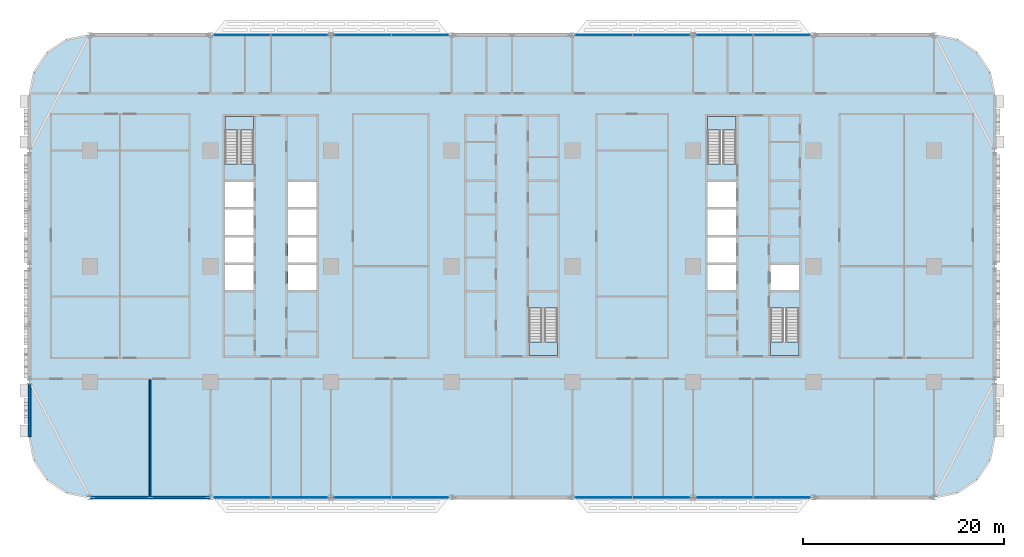
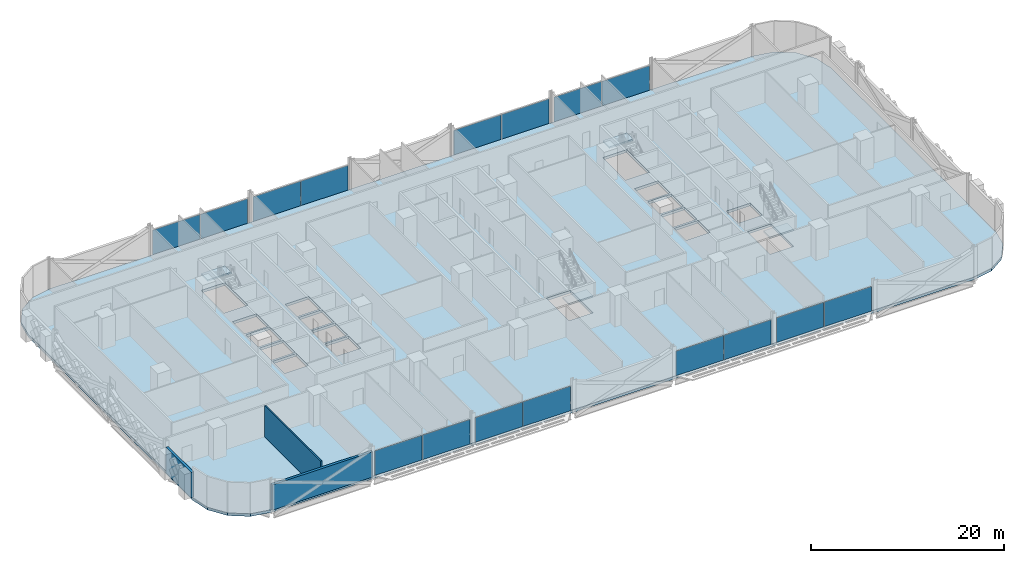
# One storey, part 9 of 29: 16 plates, 5 slabs, 3 walls, 12 elements without a shape of their own.
"""IFC4 building model written with IfcOpenShell, lengths in metres."""

from ifc_helpers import new_model, si_unit, direction, frame, frame_2d, origin, origin_2d, place, context, subcontext, project, spatial, polyline, rectangle, outline, extrude, material, layer, layer_set, type_object, element, aggregate, save


model = new_model("IFC4")

# Units and contexts
model_context = context("Model", 3, precision=1e-05, world=origin(), true_north=direction((0.0, 1.0)))
body_context = subcontext(model_context, "Body", "Model", "MODEL_VIEW")
ifc_project = project(units=[si_unit("LENGTHUNIT", "METRE"), si_unit("AREAUNIT", "SQUARE_METRE"), si_unit("VOLUMEUNIT", "CUBIC_METRE"), si_unit("PLANEANGLEUNIT", "RADIAN"), si_unit("MASSUNIT", "GRAM", prefix="KILO")], contexts=[model_context])

# Site, building, storey
site_placement = place(None, origin())
site = spatial("IfcSite", under=ifc_project, at=site_placement, CompositionType="ELEMENT")
building_placement = place(site_placement, origin())
building = spatial("IfcBuilding", under=site, at=building_placement, Name="Mahtab Terrace Research Tower", CompositionType="ELEMENT")
storey_placement = place(building_placement, frame((0.0, 0.0, 20.10009765625)))
storey = spatial("IfcBuildingStorey", under=building, at=storey_placement, Name="L04", CompositionType="ELEMENT", Elevation=20.10009765625)

# Stair, slab
ifc_material_1 = material(Name="Exit stair half-turn")
stair_type = type_object("IfcStairType", Name="Exit stair half-turn", PredefinedType="HALF_TURN_STAIR", material=ifc_material_1)
stair_1_placement = place(storey_placement, origin())
stair_1 = element("IfcStair", 1, at=stair_1_placement, inside=storey, type_object=stair_type, Name="L04 Protected exit stair ST1", PredefinedType="HALF_TURN_STAIR")
ifc_material_2 = material(Name="Concrete C40/50", Category="concrete")
ifc_layer_1 = layer(ifc_material_2, 0.199951171875)
ifc_layer_set_1 = layer_set([ifc_layer_1], Name="Exit stair landing 200")
slab_type_1 = type_object("IfcSlabType", Name="Exit stair landing 200", PredefinedType="LANDING", material=ifc_layer_set_1)
slab_1_placement = place(storey_placement, frame((0.0, 0.0, 1.949951171875)))
slab_1 = element("IfcSlab", 2, at=slab_1_placement, type_object=slab_type_1, Name="ST1 landing 1", PredefinedType="LANDING", context=body_context, shape_type="SweptSolid", body=[
    extrude(outline(polyline([(-25.699951171875, 13.534912109375), (-25.699951171875, 14.875), (-28.550048828125, 14.875), (-28.550048828125, 13.534912109375), (-25.699951171875, 13.534912109375)])), origin(), (0.0, 0.0, 1.0), 0.199951171875),
])
aggregate(stair_1, [slab_1])

stair_2_placement = place(storey_placement, origin())
stair_2 = element("IfcStair", 3, at=stair_2_placement, inside=storey, type_object=stair_type, Name="L04 Protected exit stair ST2", PredefinedType="HALF_TURN_STAIR")
slab_2_placement = place(storey_placement, frame((0.0, 0.0, 1.949951171875)))
slab_2 = element("IfcSlab", 4, at=slab_2_placement, type_object=slab_type_1, Name="ST2 landing 1", PredefinedType="LANDING", context=body_context, shape_type="SweptSolid", body=[
    extrude(outline(polyline([(1.699951171875, -7.534912109375), (1.699951171875, -8.875), (4.550048828125, -8.875), (4.550048828125, -7.534912109375), (1.699951171875, -7.534912109375)])), origin(), (0.0, 0.0, 1.0), 0.199951171875),
])
aggregate(stair_2, [slab_2])

stair_3_placement = place(storey_placement, origin())
stair_3 = element("IfcStair", 5, at=stair_3_placement, inside=storey, type_object=stair_type, Name="L04 Protected exit stair ST3", PredefinedType="HALF_TURN_STAIR")
slab_3_placement = place(storey_placement, frame((0.0, 0.0, 1.949951171875)))
slab_3 = element("IfcSlab", 6, at=slab_3_placement, type_object=slab_type_1, Name="ST3 landing 1", PredefinedType="LANDING", context=body_context, shape_type="SweptSolid", body=[
    extrude(outline(polyline([(22.300048828125, 13.534912109375), (22.300048828125, 14.875), (19.449951171875, 14.875), (19.449951171875, 13.534912109375), (22.300048828125, 13.534912109375)])), origin(), (0.0, 0.0, 1.0), 0.199951171875),
])
aggregate(stair_3, [slab_3])

stair_4_placement = place(storey_placement, origin())
stair_4 = element("IfcStair", 7, at=stair_4_placement, inside=storey, type_object=stair_type, Name="L04 Protected exit stair ST4", PredefinedType="HALF_TURN_STAIR")
slab_4_placement = place(storey_placement, frame((0.0, 0.0, 1.949951171875)))
slab_4 = element("IfcSlab", 8, at=slab_4_placement, type_object=slab_type_1, Name="ST4 landing 1", PredefinedType="LANDING", context=body_context, shape_type="SweptSolid", body=[
    extrude(outline(polyline([(25.699951171875, -7.534912109375), (25.699951171875, -8.875), (28.550048828125, -8.875), (28.550048828125, -7.534912109375), (25.699951171875, -7.534912109375)])), origin(), (0.0, 0.0, 1.0), 0.199951171875),
])
aggregate(stair_4, [slab_4])

# Curtain wall, plates
ifc_material_3 = material(Name="Laboratory ribbon curtain wall")
curtain_wall_type = type_object("IfcCurtainWallType", Name="Laboratory ribbon curtain wall", PredefinedType="NOTDEFINED", material=ifc_material_3)
curtain_wall_1_placement = place(storey_placement, origin())
curtain_wall_1 = element("IfcCurtainWall", 9, at=curtain_wall_1_placement, inside=storey, type_object=curtain_wall_type, Name="EN.L04.3.4", PredefinedType="NOTDEFINED")
ifc_material_4 = material(Name="Dark glazing", Category="glass")
ifc_layer_2 = layer(ifc_material_4, 0.031982421875)
ifc_layer_set_2 = layer_set([ifc_layer_2], Name="Laboratory ribbon curtain wall glazing panel")
plate_type = type_object("IfcPlateType", Name="Laboratory ribbon curtain wall glazing panel", PredefinedType="CURTAIN_PANEL", material=ifc_layer_set_2)
plate_1_placement = place(storey_placement, frame((26.859130859375, 23.0, 0.0), z_axis=(0.0, 0.0, 1.0), x_axis=(-1.0, 0.0, 0.0)))
plate_1 = element("IfcPlate", 10, at=plate_1_placement, type_object=plate_type, Name="CWL-1 panel 1", PredefinedType="CURTAIN_PANEL", context=body_context, shape_type="SweptSolid", body=[
    extrude(rectangle(XDim=5.653564453125, YDim=0.031982421875, at=origin_2d()), origin(), (0.0, 0.0, 1.0), 3.10302734375),
])
plate_2_placement = place(storey_placement, frame((21.140869140625, 23.0, 0.0), z_axis=(0.0, 0.0, 1.0), x_axis=(-1.0, 0.0, 0.0)))
plate_2 = element("IfcPlate", 11, at=plate_2_placement, type_object=plate_type, Name="CWL-1 panel 2", PredefinedType="CURTAIN_PANEL", context=body_context, shape_type="SweptSolid", body=[
    extrude(rectangle(XDim=5.653564453125, YDim=0.031982421875, at=origin_2d()), origin(), (0.0, 0.0, 1.0), 3.10302734375),
])
aggregate(curtain_wall_1, [plate_1, plate_2])

curtain_wall_2_placement = place(storey_placement, origin())
curtain_wall_2 = element("IfcCurtainWall", 12, at=curtain_wall_2_placement, inside=storey, type_object=curtain_wall_type, Name="EN.L04.3.5", PredefinedType="NOTDEFINED")
plate_3_placement = place(storey_placement, frame((14.859130859375, 23.0, 0.0), z_axis=(0.0, 0.0, 1.0), x_axis=(-1.0, 0.0, 0.0)))
plate_3 = element("IfcPlate", 13, at=plate_3_placement, type_object=plate_type, Name="CWL-1 panel 1", PredefinedType="CURTAIN_PANEL", context=body_context, shape_type="SweptSolid", body=[
    extrude(rectangle(XDim=5.653564453125, YDim=0.031982421875, at=origin_2d()), origin(), (0.0, 0.0, 1.0), 3.10302734375),
])
plate_4_placement = place(storey_placement, frame((9.140869140625, 23.0, 0.0), z_axis=(0.0, 0.0, 1.0), x_axis=(-1.0, 0.0, 0.0)))
plate_4 = element("IfcPlate", 14, at=plate_4_placement, type_object=plate_type, Name="CWL-1 panel 2", PredefinedType="CURTAIN_PANEL", context=body_context, shape_type="SweptSolid", body=[
    extrude(rectangle(XDim=5.653564453125, YDim=0.031982421875, at=origin_2d()), origin(), (0.0, 0.0, 1.0), 3.10302734375),
])
aggregate(curtain_wall_2, [plate_3, plate_4])

curtain_wall_3_placement = place(storey_placement, origin())
curtain_wall_3 = element("IfcCurtainWall", 15, at=curtain_wall_3_placement, inside=storey, type_object=curtain_wall_type, Name="EN.L04.3.7", PredefinedType="NOTDEFINED")
plate_5_placement = place(storey_placement, frame((-9.140869140625, 23.0, 0.0), z_axis=(0.0, 0.0, 1.0), x_axis=(-1.0, 0.0, 0.0)))
plate_5 = element("IfcPlate", 16, at=plate_5_placement, type_object=plate_type, Name="CWL-1 panel 1", PredefinedType="CURTAIN_PANEL", context=body_context, shape_type="SweptSolid", body=[
    extrude(rectangle(XDim=5.653564453125, YDim=0.031982421875, at=origin_2d()), origin(), (0.0, 0.0, 1.0), 3.10302734375),
])
plate_6_placement = place(storey_placement, frame((-14.859130859375, 23.0, 0.0), z_axis=(0.0, 0.0, 1.0), x_axis=(-1.0, 0.0, 0.0)))
plate_6 = element("IfcPlate", 17, at=plate_6_placement, type_object=plate_type, Name="CWL-1 panel 2", PredefinedType="CURTAIN_PANEL", context=body_context, shape_type="SweptSolid", body=[
    extrude(rectangle(XDim=5.653564453125, YDim=0.031982421875, at=origin_2d()), origin(), (0.0, 0.0, 1.0), 3.10302734375),
])
aggregate(curtain_wall_3, [plate_5, plate_6])

curtain_wall_4_placement = place(storey_placement, origin())
curtain_wall_4 = element("IfcCurtainWall", 18, at=curtain_wall_4_placement, inside=storey, type_object=curtain_wall_type, Name="EN.L04.3.8", PredefinedType="NOTDEFINED")
plate_7_placement = place(storey_placement, frame((-21.140869140625, 23.0, 0.0), z_axis=(0.0, 0.0, 1.0), x_axis=(-1.0, 0.0, 0.0)))
plate_7 = element("IfcPlate", 19, at=plate_7_placement, type_object=plate_type, Name="CWL-1 panel 1", PredefinedType="CURTAIN_PANEL", context=body_context, shape_type="SweptSolid", body=[
    extrude(rectangle(XDim=5.653564453125, YDim=0.031982421875, at=origin_2d()), origin(), (0.0, 0.0, 1.0), 3.10302734375),
])
plate_8_placement = place(storey_placement, frame((-26.859130859375, 23.0, 0.0), z_axis=(0.0, 0.0, 1.0), x_axis=(-1.0, 0.0, 0.0)))
plate_8 = element("IfcPlate", 20, at=plate_8_placement, type_object=plate_type, Name="CWL-1 panel 2", PredefinedType="CURTAIN_PANEL", context=body_context, shape_type="SweptSolid", body=[
    extrude(rectangle(XDim=5.653564453125, YDim=0.031982421875, at=origin_2d()), origin(), (0.0, 0.0, 1.0), 3.10302734375),
])
aggregate(curtain_wall_4, [plate_7, plate_8])

curtain_wall_5_placement = place(storey_placement, origin())
curtain_wall_5 = element("IfcCurtainWall", 21, at=curtain_wall_5_placement, inside=storey, type_object=curtain_wall_type, Name="EN.L04.13.23", PredefinedType="NOTDEFINED")
plate_9_placement = place(storey_placement, frame((-26.859130859375, -23.0, 0.0), z_axis=(0.0, 0.0, 1.0), x_axis=(1.0, 0.0, 0.0)))
plate_9 = element("IfcPlate", 22, at=plate_9_placement, type_object=plate_type, Name="CWL-1 panel 1", PredefinedType="CURTAIN_PANEL", context=body_context, shape_type="SweptSolid", body=[
    extrude(rectangle(XDim=5.653564453125, YDim=0.031982421875, at=origin_2d()), origin(), (0.0, 0.0, 1.0), 3.10302734375),
])
plate_10_placement = place(storey_placement, frame((-21.140869140625, -23.0, 0.0), z_axis=(0.0, 0.0, 1.0), x_axis=(1.0, 0.0, 0.0)))
plate_10 = element("IfcPlate", 23, at=plate_10_placement, type_object=plate_type, Name="CWL-1 panel 2", PredefinedType="CURTAIN_PANEL", context=body_context, shape_type="SweptSolid", body=[
    extrude(rectangle(XDim=5.653564453125, YDim=0.031982421875, at=origin_2d()), origin(), (0.0, 0.0, 1.0), 3.10302734375),
])
aggregate(curtain_wall_5, [plate_9, plate_10])

curtain_wall_6_placement = place(storey_placement, origin())
curtain_wall_6 = element("IfcCurtainWall", 24, at=curtain_wall_6_placement, inside=storey, type_object=curtain_wall_type, Name="EN.L04.13.24", PredefinedType="NOTDEFINED")
plate_11_placement = place(storey_placement, frame((-14.859130859375, -23.0, 0.0), z_axis=(0.0, 0.0, 1.0), x_axis=(1.0, 0.0, 0.0)))
plate_11 = element("IfcPlate", 25, at=plate_11_placement, type_object=plate_type, Name="CWL-1 panel 1", PredefinedType="CURTAIN_PANEL", context=body_context, shape_type="SweptSolid", body=[
    extrude(rectangle(XDim=5.653564453125, YDim=0.031982421875, at=origin_2d()), origin(), (0.0, 0.0, 1.0), 3.10302734375),
])
plate_12_placement = place(storey_placement, frame((-9.140869140625, -23.0, 0.0), z_axis=(0.0, 0.0, 1.0), x_axis=(1.0, 0.0, 0.0)))
plate_12 = element("IfcPlate", 26, at=plate_12_placement, type_object=plate_type, Name="CWL-1 panel 2", PredefinedType="CURTAIN_PANEL", context=body_context, shape_type="SweptSolid", body=[
    extrude(rectangle(XDim=5.653564453125, YDim=0.031982421875, at=origin_2d()), origin(), (0.0, 0.0, 1.0), 3.10302734375),
])
aggregate(curtain_wall_6, [plate_11, plate_12])

curtain_wall_7_placement = place(storey_placement, origin())
curtain_wall_7 = element("IfcCurtainWall", 27, at=curtain_wall_7_placement, inside=storey, type_object=curtain_wall_type, Name="EN.L04.13.26", PredefinedType="NOTDEFINED")
plate_13_placement = place(storey_placement, frame((9.140869140625, -23.0, 0.0), z_axis=(0.0, 0.0, 1.0), x_axis=(1.0, 0.0, 0.0)))
plate_13 = element("IfcPlate", 28, at=plate_13_placement, type_object=plate_type, Name="CWL-1 panel 1", PredefinedType="CURTAIN_PANEL", context=body_context, shape_type="SweptSolid", body=[
    extrude(rectangle(XDim=5.653564453125, YDim=0.031982421875, at=origin_2d()), origin(), (0.0, 0.0, 1.0), 3.10302734375),
])
plate_14_placement = place(storey_placement, frame((14.859130859375, -23.0, 0.0), z_axis=(0.0, 0.0, 1.0), x_axis=(1.0, 0.0, 0.0)))
plate_14 = element("IfcPlate", 29, at=plate_14_placement, type_object=plate_type, Name="CWL-1 panel 2", PredefinedType="CURTAIN_PANEL", context=body_context, shape_type="SweptSolid", body=[
    extrude(rectangle(XDim=5.653564453125, YDim=0.031982421875, at=origin_2d()), origin(), (0.0, 0.0, 1.0), 3.10302734375),
])
aggregate(curtain_wall_7, [plate_13, plate_14])

curtain_wall_8_placement = place(storey_placement, origin())
curtain_wall_8 = element("IfcCurtainWall", 30, at=curtain_wall_8_placement, inside=storey, type_object=curtain_wall_type, Name="EN.L04.13.27", PredefinedType="NOTDEFINED")
plate_15_placement = place(storey_placement, frame((21.140869140625, -23.0, 0.0), z_axis=(0.0, 0.0, 1.0), x_axis=(1.0, 0.0, 0.0)))
plate_15 = element("IfcPlate", 31, at=plate_15_placement, type_object=plate_type, Name="CWL-1 panel 1", PredefinedType="CURTAIN_PANEL", context=body_context, shape_type="SweptSolid", body=[
    extrude(rectangle(XDim=5.653564453125, YDim=0.031982421875, at=origin_2d()), origin(), (0.0, 0.0, 1.0), 3.10302734375),
])
plate_16_placement = place(storey_placement, frame((26.859130859375, -23.0, 0.0), z_axis=(0.0, 0.0, 1.0), x_axis=(1.0, 0.0, 0.0)))
plate_16 = element("IfcPlate", 32, at=plate_16_placement, type_object=plate_type, Name="CWL-1 panel 2", PredefinedType="CURTAIN_PANEL", context=body_context, shape_type="SweptSolid", body=[
    extrude(rectangle(XDim=5.653564453125, YDim=0.031982421875, at=origin_2d()), origin(), (0.0, 0.0, 1.0), 3.10302734375),
])
aggregate(curtain_wall_8, [plate_15, plate_16])

# Slab
ifc_layer_3 = layer(ifc_material_2, 0.340087890625)
ifc_layer_set_3 = layer_set([ifc_layer_3], Name="PT flat slab 340")
slab_type_2 = type_object("IfcSlabType", Name="PT flat slab 340", PredefinedType="FLOOR", material=ifc_layer_set_3)
slab_5_placement = place(storey_placement, frame((0.0, 0.0, -0.340087890625)))
element("IfcSlab", 33, at=slab_5_placement, inside=storey, type_object=slab_type_2, Name="Floor slab L04", PredefinedType="FLOOR", context=body_context, shape_type="SweptSolid", body=[
    extrude(outline(polyline([(47.54296875, 19.2958984375), (46.242919921875, 21.242919921875), (44.2958984375, 22.54296875), (42.0, 23.0), (-42.0, 23.0), (-44.2958984375, 22.54296875), (-46.242919921875, 21.242919921875), (-47.54296875, 19.2958984375), (-48.0, 17.0), (-48.0, -17.0), (-47.54296875, -19.2958984375), (-46.242919921875, -21.242919921875), (-44.2958984375, -22.54296875), (-42.0, -23.0), (42.0, -23.0), (44.2958984375, -22.54296875), (46.242919921875, -21.242919921875), (47.54296875, -19.2958984375), (48.0, -17.0), (48.0, 17.0), (47.54296875, 19.2958984375)]), holes=[polyline([(-28.550048828125, -2.375), (-28.550048828125, 0.125), (-25.699951171875, 0.125), (-25.699951171875, -2.375), (-28.550048828125, -2.375)]), polyline([(-22.300048828125, -2.375), (-22.300048828125, 0.125), (-19.449951171875, 0.125), (-19.449951171875, -2.375), (-22.300048828125, -2.375)]), polyline([(-28.550048828125, 0.375), (-28.550048828125, 2.875), (-25.699951171875, 2.875), (-25.699951171875, 0.375), (-28.550048828125, 0.375)]), polyline([(-22.300048828125, 0.375), (-22.300048828125, 2.875), (-19.449951171875, 2.875), (-19.449951171875, 0.375), (-22.300048828125, 0.375)]), polyline([(-28.550048828125, 3.125), (-28.550048828125, 5.625), (-25.699951171875, 5.625), (-25.699951171875, 3.125), (-28.550048828125, 3.125)]), polyline([(-22.300048828125, 3.125), (-22.300048828125, 5.625), (-19.449951171875, 5.625), (-19.449951171875, 3.125), (-22.300048828125, 3.125)]), polyline([(-28.550048828125, 5.875), (-28.550048828125, 8.375), (-25.699951171875, 8.375), (-25.699951171875, 5.875), (-28.550048828125, 5.875)]), polyline([(-22.300048828125, 5.875), (-22.300048828125, 8.375), (-19.449951171875, 8.375), (-19.449951171875, 5.875), (-22.300048828125, 5.875)]), polyline([(-28.550048828125, 10.177001953125), (-28.550048828125, 14.875), (-25.699951171875, 14.875), (-25.699951171875, 10.177001953125), (-28.550048828125, 10.177001953125)]), polyline([(1.699951171875, -8.875), (1.699951171875, -4.177001953125), (4.550048828125, -4.177001953125), (4.550048828125, -8.875), (1.699951171875, -8.875)]), polyline([(25.699951171875, -8.875), (25.699951171875, -4.177001953125), (28.550048828125, -4.177001953125), (28.550048828125, -8.875), (25.699951171875, -8.875)]), polyline([(19.449951171875, -2.375), (19.449951171875, 0.125), (22.300048828125, 0.125), (22.300048828125, -2.375), (19.449951171875, -2.375)]), polyline([(25.699951171875, -2.375), (25.699951171875, 0.125), (28.550048828125, 0.125), (28.550048828125, -2.375), (25.699951171875, -2.375)]), polyline([(19.449951171875, 0.375), (19.449951171875, 2.875), (22.300048828125, 2.875), (22.300048828125, 0.375), (19.449951171875, 0.375)]), polyline([(19.449951171875, 3.125), (19.449951171875, 5.625), (22.300048828125, 5.625), (22.300048828125, 3.125), (19.449951171875, 3.125)]), polyline([(19.449951171875, 8.375), (22.300048828125, 8.375), (22.300048828125, 5.875), (19.449951171875, 5.875), (19.449951171875, 8.375)]), polyline([(19.449951171875, 14.875), (22.300048828125, 14.875), (22.300048828125, 10.177001953125), (19.449951171875, 10.177001953125), (19.449951171875, 14.875)])]), origin(), (0.0, 0.0, 1.0), 0.340087890625),
])

# Walls
ifc_material_5 = material(Name="Black aluminium cladding panel", Category="aluminium")
ifc_layer_4 = layer(ifc_material_5, 0.300048828125)
ifc_layer_set_4 = layer_set([ifc_layer_4], Name="Opaque facade wall 300")
wall_type_1 = type_object("IfcWallType", Name="Opaque facade wall 300", PredefinedType="NOTDEFINED", material=ifc_layer_set_4)
wall_1_placement = place(storey_placement, frame((-48.0, -11.7490234375, 0.0), z_axis=(0.0, 0.0, 1.0), x_axis=(0.0, -1.0, 0.0)))
element("IfcWall", 34, at=wall_1_placement, inside=storey, type_object=wall_type_1, Name="Opaque facade wall L04 W17", PredefinedType="NOTDEFINED", context=body_context, shape_type="SweptSolid", body=[
    extrude(rectangle(XDim=5.2509765625, YDim=0.300048828125, at=frame_2d((2.62548828125, 0.0))), origin(), (0.0, 0.0, 1.0), 3.202880859375),
])
wall_2_placement = place(storey_placement, frame((-41.97216796875, -23.0, 0.0), z_axis=(0.0, 0.0, 1.0), x_axis=(1.0, 0.0, 0.0)))
element("IfcWall", 35, at=wall_2_placement, inside=storey, type_object=wall_type_1, Name="Opaque facade wall L04 S22", PredefinedType="NOTDEFINED", context=body_context, shape_type="SweptSolid", body=[
    extrude(rectangle(XDim=11.9443359375, YDim=0.300048828125, at=frame_2d((5.97216796875, 0.0))), origin(), (0.0, 0.0, 1.0), 3.202880859375),
])
ifc_material_6 = material(Name="Gypsum board partition on steel studs", Category="steel")
ifc_layer_5 = layer(ifc_material_6, 0.14990234375)
ifc_layer_set_5 = layer_set([ifc_layer_5], Name="WALL PARTITION 150")
wall_type_2 = type_object("IfcWallType", Name="WALL PARTITION 150", PredefinedType="PARTITIONING", material=ifc_layer_set_5)
wall_3_placement = place(storey_placement, frame((-36.0, -22.85009765625, 0.0), z_axis=(0.0, 0.0, 1.0), x_axis=(0.0, 1.0, 0.0)))
element("IfcWall", 36, at=wall_3_placement, inside=storey, type_object=wall_type_2, Name="L04-W030", PredefinedType="PARTITIONING", context=body_context, shape_type="SweptSolid", body=[
    extrude(rectangle(XDim=11.550048828125, YDim=0.14990234375, at=frame_2d((5.77490234375, 0.0))), origin(), (0.0, 0.0, 1.0), 3.9599609375),
])

save(model, "model.ifc")
